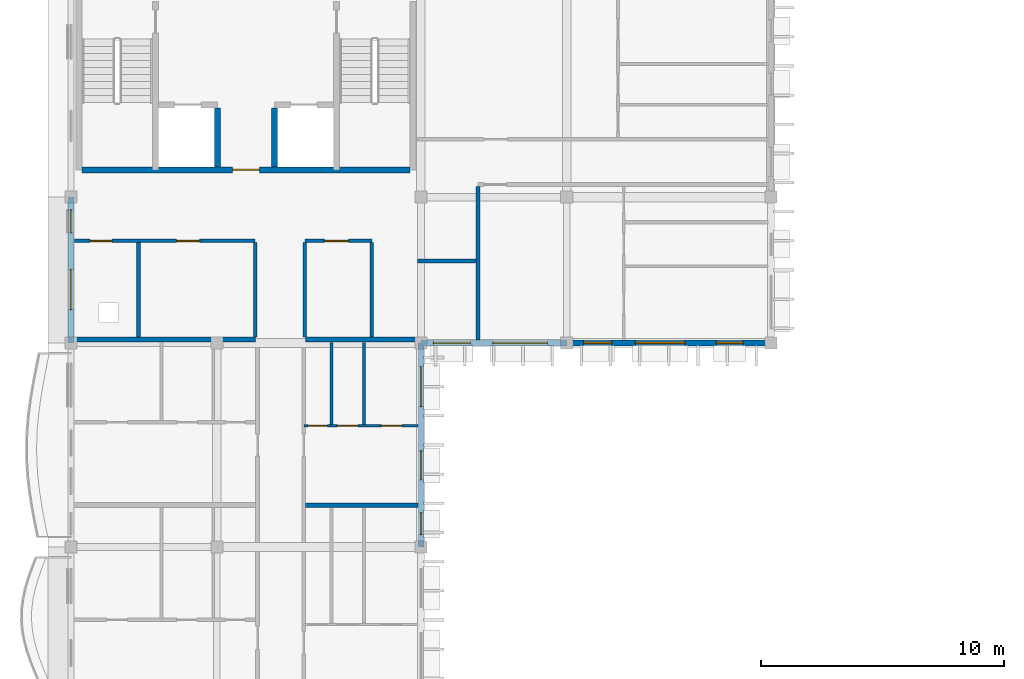
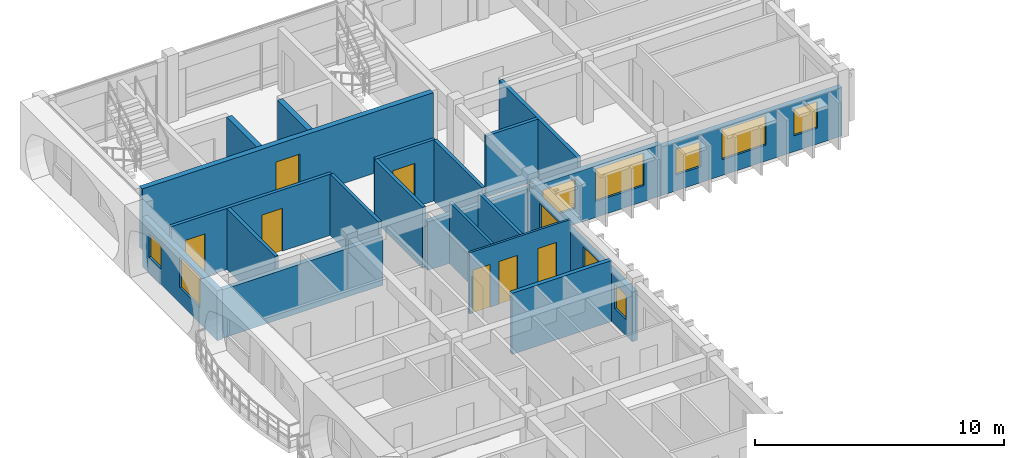
# One storey, part 8 of 28: 21 walls, 10 windows, 7 doors, 17 openings.
"""IFC4 building model written with IfcOpenShell, lengths in metres."""

import ifcopenshell
import ifcopenshell.guid

model = None  # the IFC model being written
_history = None  # IfcOwnerHistory: only IFC2X3 demands one
_inside = {}  # id of a spatial element -> (the spatial element, [elements in it])
_under = {}  # id of a project, library or spatial element -> (it, [spatial elements below it])
_declared = {}  # id of a project -> (the project, [libraries it declares])
_typed = {}  # id of a type object -> (the type object, [elements of that type])
_made_of = {}  # id of a material, layer set ... -> (it, [elements and type objects made of it])


def new_model(schema):
    """Start an empty IFC model of exactly this schema.

    Asked for "IFC4X3", IfcOpenShell would pick the latest addendum, in which some entities
    have other attributes; the version numbers below select the first issue.
    IFC2X3 requires an IfcOwnerHistory on every rooted entity: one is made here for all.
    """
    global model, _history
    if schema == "IFC4X3":
        model = ifcopenshell.file(schema_version=(4, 3, 0, 0))
    else:
        model = ifcopenshell.file(schema=schema)
    _inside.clear()
    _under.clear()
    _declared.clear()
    _typed.clear()
    _made_of.clear()
    _history = None
    if model.schema == "IFC2X3":
        org = make("IfcOrganization", Name="unknown")
        user = make(
            "IfcPersonAndOrganization",
            ThePerson=make("IfcPerson", FamilyName="unknown"),
            TheOrganization=org,
        )
        app = make(
            "IfcApplication",
            ApplicationDeveloper=org,
            Version="unknown",
            ApplicationFullName="unknown",
            ApplicationIdentifier="unknown",
        )
        _history = make(
            "IfcOwnerHistory",
            OwningUser=user,
            OwningApplication=app,
            ChangeAction="ADDED",
            CreationDate=0,
        )
    return model


def make(cls, **values):
    """One entity of the class cls with the attributes given. An attribute that is None is left unset."""
    return model.create_entity(
        cls, **{name: value for name, value in values.items() if value is not None}
    )


def rooted(cls, **values):
    """An entity with a GlobalId (a new one), such as an element, a storey or a relation."""
    return make(cls, GlobalId=ifcopenshell.guid.new(), OwnerHistory=_history, **values)


def si_unit(unit_type, name, prefix=None):
    """IfcSIUnit, for example si_unit("LENGTHUNIT", "METRE", prefix="MILLI")."""
    return make("IfcSIUnit", UnitType=unit_type, Prefix=prefix, Name=name)


def assignment(units):
    """IfcUnitAssignment: the units of a project."""
    return None if units is None else make("IfcUnitAssignment", Units=units)


def point(xyz):
    """IfcCartesianPoint."""
    return None if xyz is None else make("IfcCartesianPoint", Coordinates=xyz)


def direction(xyz):
    """IfcDirection."""
    return None if xyz is None else make("IfcDirection", DirectionRatios=xyz)


def frame(location, z_axis=None, x_axis=None):
    """IfcAxis2Placement3D, a coordinate frame: its origin and axes. An axis left out is left unset."""
    return make(
        "IfcAxis2Placement3D",
        Location=point(location),
        Axis=direction(z_axis),
        RefDirection=direction(x_axis),
    )


def frame_2d(location, x_axis=None):
    """IfcAxis2Placement2D, a coordinate frame in the plane: its origin and x axis."""
    return make(
        "IfcAxis2Placement2D", Location=point(location), RefDirection=direction(x_axis)
    )


def origin():
    """The frame at (0, 0, 0) with its axes left unset."""
    return frame((0.0, 0.0, 0.0))


def place(relative_to, where):
    """IfcLocalPlacement: puts the frame where relative to a parent placement (None: the world)."""
    return make(
        "IfcLocalPlacement", PlacementRelTo=relative_to, RelativePlacement=where
    )


def context(
    kind, dimensions, precision=None, world=None, true_north=None, identifier=None
):
    """IfcGeometricRepresentationContext, for example the 3D "Model" context."""
    return make(
        "IfcGeometricRepresentationContext",
        ContextIdentifier=identifier,
        ContextType=kind,
        CoordinateSpaceDimension=dimensions,
        Precision=precision,
        WorldCoordinateSystem=world,
        TrueNorth=true_north,
    )


def subcontext(parent, identifier, kind, view, scale=None):
    """IfcGeometricRepresentationSubContext, for example "Body" below "Model"."""
    return make(
        "IfcGeometricRepresentationSubContext",
        ContextIdentifier=identifier,
        ContextType=kind,
        ParentContext=parent,
        TargetScale=scale,
        TargetView=view,
    )


def project(units=None, contexts=None):
    """IfcProject with its units and contexts."""
    return rooted(
        "IfcProject",
        Name="project",
        RepresentationContexts=contexts,
        UnitsInContext=assignment(units),
    )


def spatial(cls, under=None, at=None, **own):
    """A site, building, storey or space (cls), placed at a placement, below another one or the project."""
    s = rooted(cls, ObjectPlacement=at, **own)
    if under is not None:
        _under.setdefault(under.id(), (under, []))[1].append(s)
    return s


def profile(cls, at=None, kind="AREA", **sizes):
    """A parametric profile (cls). Its sizes go by their IFC names, for example OverallWidth=200.0."""
    return make(cls, ProfileType=kind, Position=at, **sizes)


def rectangle(**sizes):
    """IfcRectangleProfileDef."""
    return profile("IfcRectangleProfileDef", **sizes)


def extrude(swept, where, along, depth):
    """IfcExtrudedAreaSolid: the profile swept, set in the frame where, extruded along a direction by depth."""
    return make(
        "IfcExtrudedAreaSolid",
        SweptArea=swept,
        Position=where,
        ExtrudedDirection=direction(along),
        Depth=depth,
    )


def shape(context_of_items, identifier, shape_type, items):
    """IfcShapeRepresentation: the items that make up one representation, for example the "Body"."""
    return make(
        "IfcShapeRepresentation",
        ContextOfItems=context_of_items,
        RepresentationIdentifier=identifier,
        RepresentationType=shape_type,
        Items=items,
    )


def material(Name=None, Category=None):
    """IfcMaterial."""
    return make("IfcMaterial", Name=Name, Category=Category)


def layer(
    of_material, thickness, ventilated=None, Name=None, Category=None, Priority=None
):
    """IfcMaterialLayer: one layer of a wall or slab, of a material (None: an air gap)."""
    return make(
        "IfcMaterialLayer",
        Material=of_material,
        LayerThickness=thickness,
        IsVentilated=ventilated,
        Name=Name,
        Category=Category,
        Priority=Priority,
    )


def layer_set(layers, Name=None):
    """IfcMaterialLayerSet."""
    return make("IfcMaterialLayerSet", MaterialLayers=layers, LayerSetName=Name)


def made_of(thing, what):
    """Note that an element or type object is made of a material, layer set ...; save() writes the relation."""
    if what is not None:
        _made_of.setdefault(what.id(), (what, []))[1].append(thing)
    return thing


def type_object(cls, material=None, **own):
    """A type object (cls), such as IfcWallType, which elements share."""
    return made_of(rooted(cls, **own), material)


def element(
    cls,
    number,
    at=None,
    inside=None,
    cuts=None,
    type_object=None,
    material=None,
    context=None,
    identifier="Body",
    shape_type=None,
    held_by="IfcProductDefinitionShape",
    body=None,
    shapes=None,
    **own,
):
    """One element of the class cls, such as IfcWall. Its Tag is "e" and its number.

    at: its placement. inside: the storey or other place that contains it. cuts: it is an
    opening in that element (IfcRelVoidsElement). A single representation is given by context,
    identifier, shape_type and body (its items); several are given by shapes. held_by: the class
    of the entity that holds the representations. save() writes the other relations.
    """
    e = rooted(cls, Tag="e%d" % number, ObjectPlacement=at, **own)
    if body is not None:
        shapes = [shape(context, identifier, shape_type, body)]
    if shapes is not None:
        e.Representation = make(held_by, Representations=shapes)
    if inside is not None:
        _inside.setdefault(inside.id(), (inside, []))[1].append(e)
    if cuts is not None:
        rooted(
            "IfcRelVoidsElement", RelatingBuildingElement=cuts, RelatedOpeningElement=e
        )
    if type_object is not None:
        _typed.setdefault(type_object.id(), (type_object, []))[1].append(e)
    return made_of(e, material)


def fill(opening, filler):
    """IfcRelFillsElement: the door or window that sits in an opening."""
    return rooted(
        "IfcRelFillsElement",
        RelatingOpeningElement=opening,
        RelatedBuildingElement=filler,
    )


def aggregate(whole, parts):
    """IfcRelAggregates: a whole, such as a stair, and the parts it consists of."""
    return rooted("IfcRelAggregates", RelatingObject=whole, RelatedObjects=parts)


def save(model, path):
    """Write the relations noted so far, then the file.

    IfcRelAggregates (storeys below a building ...), IfcRelContainedInSpatialStructure (elements
    in a storey), IfcRelDefinesByType, IfcRelAssociatesMaterial and IfcRelDeclares: one each for
    every whole, place, type object, material and project.
    """
    for whole, parts in _under.values():
        aggregate(whole, parts)
    for where, things in _inside.values():
        rooted(
            "IfcRelContainedInSpatialStructure",
            RelatedElements=things,
            RelatingStructure=where,
        )
    for kind, things in _typed.values():
        rooted("IfcRelDefinesByType", RelatedObjects=things, RelatingType=kind)
    for what, things in _made_of.values():
        rooted("IfcRelAssociatesMaterial", RelatedObjects=things, RelatingMaterial=what)
    for by, libraries in _declared.values():
        rooted("IfcRelDeclares", RelatingContext=by, RelatedDefinitions=libraries)
    model.write(path)


model = new_model("IFC4")

# Units and contexts
model_context = context("Model", 3, precision=1e-05, world=origin(), true_north=direction((0.0, 1.0)))
body_context = subcontext(model_context, "Body", "Model", "MODEL_VIEW")
ifc_project = project(units=[si_unit("LENGTHUNIT", "METRE"), si_unit("AREAUNIT", "SQUARE_METRE"), si_unit("VOLUMEUNIT", "CUBIC_METRE"), si_unit("PLANEANGLEUNIT", "RADIAN"), si_unit("MASSUNIT", "GRAM", prefix="KILO"), si_unit("THERMODYNAMICTEMPERATUREUNIT", "KELVIN")], contexts=[model_context])

# Site, building, storey
site_placement = place(None, origin())
site = spatial("IfcSite", under=ifc_project, at=site_placement, CompositionType="ELEMENT")
building_placement = place(site_placement, origin())
building = spatial("IfcBuilding", under=site, at=building_placement, Name="Thalorik Housing Commons", CompositionType="ELEMENT")
storey_placement = place(building_placement, frame((0.0, 0.0, 41.10009765625)))
storey = spatial("IfcBuildingStorey", under=building, at=storey_placement, Name="L12", CompositionType="ELEMENT", Elevation=41.10009765625)

# Walls
ifc_material_1 = material(Name="Concrete C40/50", Category="concrete")
ifc_layer_1 = layer(ifc_material_1, 0.25, Name="Concrete C40/50", Category="concrete")
ifc_layer_set_1 = layer_set([ifc_layer_1], Name="Concrete C40/50")
wall_type_1 = type_object("IfcWallType", Name="ARC-WAL-CORE-250", PredefinedType="SHEAR", material=ifc_layer_set_1)
for number, where, z_axis, x_axis, name in (
    (1, (14.425048828125, 118.875, 0.0), (0.0, 0.0, 1.0), (0.0, -1.0, 0.0), "L12 Lift 1 Cheek Wall"),
    (2, (16.77490234375, 118.875, 0.0), (0.0, 0.0, 1.0), (0.0, -1.0, 0.0), "L12 Lift 2 Cheek Wall"),
):
    element("IfcWall", number, at=place(storey_placement, frame(where, z_axis=z_axis, x_axis=x_axis)), inside=storey, type_object=wall_type_1, Name=name, PredefinedType="SHEAR", context=body_context, shape_type="SweptSolid", body=[
        extrude(rectangle(XDim=2.425048828125, YDim=0.25, at=frame_2d((1.21240234375, 0.0))), origin(), (0.0, 0.0, 1.0), 3.0),
    ])

# Wall, opening, door
wall_1_placement = place(storey_placement, frame((8.85009765625, 116.324951171875, 0.0), z_axis=(0.0, 0.0, 1.0), x_axis=(1.0, 0.0, 0.0)))
wall_1 = element("IfcWall", 3, at=wall_1_placement, inside=storey, type_object=wall_type_1, Name="L12 Core A Spine Shear Wall", PredefinedType="SHEAR", context=body_context, shape_type="SweptSolid", body=[
    extrude(rectangle(XDim=13.5, YDim=0.25, at=frame_2d((6.75, 0.0))), origin(), (0.0, 0.0, 1.0), 3.0),
])
opening_1_placement = place(wall_1_placement, frame((6.199951171875, 0.0, 0.0)))
opening_1 = element("IfcOpeningElement", 4, at=opening_1_placement, cuts=wall_1, Name="Opening ID-0109", PredefinedType="OPENING", context=body_context, shape_type="SweptSolid", body=[
    extrude(rectangle(XDim=1.10009765625, YDim=2.14990234375, at=frame_2d((0.550048828125, 1.074951171875))), frame((0.0, 0.135009765625, 0.0), z_axis=(0.0, -1.0, 0.0), x_axis=(1.0, 0.0, 0.0)), (0.0, 0.0, 1.0), 0.27001953125),
])
ifc_material_2 = material(Name="Steel S355", Category="steel")
door_type_1 = type_object("IfcDoorType", Name="ARC-DR-FD60-1100", OperationType="NOTDEFINED", PredefinedType="DOOR", material=ifc_material_2)
door_1_placement = place(opening_1_placement, origin())
door_1 = element("IfcDoor", 5, at=door_1_placement, inside=storey, type_object=door_type_1, Name="L12 Core A Lobby Fire Door", OperationType="SINGLE_SWING_RIGHT", OverallHeight=2.14990234375, OverallWidth=1.10009765625, PredefinedType="DOOR", context=body_context, shape_type="SweptSolid", body=[
    extrude(rectangle(XDim=1.10009765625, YDim=2.14990234375, at=frame_2d((0.550048828125, 1.074951171875))), frame((0.0, 0.02490234375, 0.0), z_axis=(0.0, -1.0, 0.0), x_axis=(1.0, 0.0, 0.0)), (0.0, 0.0, 1.0), 0.050048828125),
])
fill(opening_1, door_1)

# Walls
ifc_material_3 = material(Name="Masonry fire-rated corridor wall", Category="masonry")
ifc_layer_2 = layer(ifc_material_3, 0.14990234375, Name="Masonry fire-rated corridor wall", Category="masonry")
ifc_layer_set_2 = layer_set([ifc_layer_2], Name="Masonry fire-rated corridor wall")
wall_type_2 = type_object("IfcWallType", Name="ARC-WAL-CORR-150", PredefinedType="PARTITIONING", material=ifc_layer_set_2)
wall_2_placement = place(storey_placement, frame((22.659912109375, 112.570068359375, 0.0), z_axis=(0.0, 0.0, 1.0), x_axis=(1.0, 0.0, 0.0)))
element("IfcWall", 6, at=wall_2_placement, inside=storey, type_object=wall_type_2, Name="L12 Block A Vestibule South Wall", PredefinedType="PARTITIONING", context=body_context, shape_type="SweptSolid", body=[
    extrude(rectangle(XDim=2.405517578125, YDim=0.14990234375, at=frame_2d((1.20263671875, 0.0))), origin(), (0.0, 0.0, 1.0), 3.0),
])
ifc_layer_3 = layer(ifc_material_3, 0.1650390625, Name="Masonry fire-rated corridor wall", Category="masonry")
ifc_layer_set_3 = layer_set([ifc_layer_3], Name="Masonry fire-rated corridor wall")
wall_type_3 = type_object("IfcWallType", Name="ARC-WAL-CORR-165", PredefinedType="PARTITIONING", material=ifc_layer_set_3)
wall_3_placement = place(storey_placement, frame((25.14990234375, 109.324462890625, 0.0), z_axis=(0.0, 0.0, 1.0), x_axis=(0.0, 1.0, 0.0)))
element("IfcWall", 7, at=wall_3_placement, inside=storey, type_object=wall_type_3, Name="L12 Block A Vestibule Cheek Wall", PredefinedType="PARTITIONING", context=body_context, shape_type="SweptSolid", body=[
    extrude(rectangle(XDim=6.31103515625, YDim=0.1650390625, at=frame_2d((3.155517578125, 0.0))), origin(), (0.0, 0.0, 1.0), 3.0),
])

# Wall, openings, windows
ifc_material_4 = material(Name="White precast concrete C40/50", Category="concrete")
ifc_layer_4 = layer(ifc_material_4, 0.2451171875, Name="White precast concrete C40/50", Category="concrete")
ifc_layer_set_4 = layer_set([ifc_layer_4], Name="White precast concrete C40/50")
wall_type_4 = type_object("IfcWallType", Name="ARC-WAL-EXT-245", PredefinedType="STANDARD", material=ifc_layer_set_4)
wall_4_placement = place(storey_placement, frame((22.800048828125, 109.199951171875, 0.0), z_axis=(0.0, 0.0, 1.0), x_axis=(1.0, 0.0, 0.0)))
wall_4 = element("IfcWall", 8, at=wall_4_placement, inside=storey, type_object=wall_type_4, Name="L12 Exterior Wall WAL-EXT-L12-A-0297", PredefinedType="STANDARD", context=body_context, shape_type="SweptSolid", body=[
    extrude(rectangle(XDim=6.0, YDim=0.2451171875, at=frame_2d((3.0, 0.0))), origin(), (0.0, 0.0, 1.0), 2.52490234375),
])
opening_2_placement = place(wall_4_placement, frame((0.510009765625, 0.0, 0.780029296875)))
opening_2 = element("IfcOpeningElement", 9, at=opening_2_placement, cuts=wall_4, Name="Opening W-52", PredefinedType="OPENING", context=body_context, shape_type="SweptSolid", body=[
    extrude(rectangle(XDim=1.52001953125, YDim=1.419921875, at=frame_2d((0.760009765625, 0.7099609375))), frame((0.0, 0.132568359375, 0.0), z_axis=(0.0, -1.0, 0.0), x_axis=(1.0, 0.0, 0.0)), (0.0, 0.0, 1.0), 0.26513671875),
])
opening_3_placement = place(wall_4_placement, frame((2.955078125, 0.0, 0.780029296875)))
opening_3 = element("IfcOpeningElement", 10, at=opening_3_placement, cuts=wall_4, Name="Opening W-31", PredefinedType="OPENING", context=body_context, shape_type="SweptSolid", body=[
    extrude(rectangle(XDim=2.25, YDim=1.60009765625, at=frame_2d((1.125, 0.800048828125))), frame((0.0, 0.132568359375, 0.0), z_axis=(0.0, -1.0, 0.0), x_axis=(1.0, 0.0, 0.0)), (0.0, 0.0, 1.0), 0.26513671875),
])
ifc_material_5 = material(Name="Anodised aluminium and solar-control low-E glass", Category="aluminium")
window_type_1 = type_object("IfcWindowType", Name="ARC-WIN-31", PartitioningType="DOUBLE_PANEL_VERTICAL", PredefinedType="WINDOW", material=ifc_material_5)
window_1_placement = place(opening_3_placement, origin())
window_1 = element("IfcWindow", 11, at=window_1_placement, inside=storey, type_object=window_type_1, Name="L12 Facade Window 533", OverallHeight=1.60009765625, OverallWidth=2.25, PartitioningType="DOUBLE_PANEL_VERTICAL", PredefinedType="WINDOW", context=body_context, shape_type="SweptSolid", body=[
    extrude(rectangle(XDim=2.25, YDim=1.60009765625, at=frame_2d((1.125, 0.800048828125))), frame((0.0, 0.030029296875, 0.0), z_axis=(0.0, -1.0, 0.0), x_axis=(1.0, 0.0, 0.0)), (0.0, 0.0, 1.0), 0.06005859375),
])
fill(opening_3, window_1)
window_type_2 = type_object("IfcWindowType", Name="ARC-WIN-52", PartitioningType="SINGLE_PANEL", PredefinedType="WINDOW", material=ifc_material_5)
window_2_placement = place(opening_2_placement, origin())
window_2 = element("IfcWindow", 12, at=window_2_placement, inside=storey, type_object=window_type_2, Name="L12 Facade Window 532", OverallHeight=1.419921875, OverallWidth=1.52001953125, PartitioningType="SINGLE_PANEL", PredefinedType="WINDOW", context=body_context, shape_type="SweptSolid", body=[
    extrude(rectangle(XDim=1.52001953125, YDim=1.419921875, at=frame_2d((0.760009765625, 0.7099609375))), frame((0.0, 0.030029296875, 0.0), z_axis=(0.0, -1.0, 0.0), x_axis=(1.0, 0.0, 0.0)), (0.0, 0.0, 1.0), 0.06005859375),
])
fill(opening_2, window_2)

wall_5_placement = place(storey_placement, frame((28.800048828125, 109.199951171875, 0.0), z_axis=(0.0, 0.0, 1.0), x_axis=(1.0, 0.0, 0.0)))
wall_5 = element("IfcWall", 13, at=wall_5_placement, inside=storey, type_object=wall_type_4, Name="L12 Exterior Wall WAL-EXT-L12-A-0298", PredefinedType="STANDARD", context=body_context, shape_type="SweptSolid", body=[
    extrude(rectangle(XDim=8.39990234375, YDim=0.2451171875, at=frame_2d((4.199951171875, 0.0))), origin(), (0.0, 0.0, 1.0), 2.375),
])
opening_4_placement = place(wall_5_placement, frame((0.6923828125, 0.0, 0.780029296875)))
opening_4 = element("IfcOpeningElement", 14, at=opening_4_placement, cuts=wall_5, Name="Opening W-45", PredefinedType="OPENING", context=body_context, shape_type="SweptSolid", body=[
    extrude(rectangle(XDim=1.14990234375, YDim=1.25, at=frame_2d((0.574951171875, 0.625))), frame((0.0, 0.132568359375, 0.0), z_axis=(0.0, -1.0, 0.0), x_axis=(1.0, 0.0, 0.0)), (0.0, 0.0, 1.0), 0.26513671875),
])
opening_5_placement = place(wall_5_placement, frame((2.826416015625, 0.0, 0.780029296875)))
opening_5 = element("IfcOpeningElement", 15, at=opening_5_placement, cuts=wall_5, Name="Opening W-62", PredefinedType="OPENING", context=body_context, shape_type="SweptSolid", body=[
    extrude(rectangle(XDim=2.0400390625, YDim=1.4599609375, at=frame_2d((1.02001953125, 0.72998046875))), frame((0.0, 0.132568359375, 0.0), z_axis=(0.0, -1.0, 0.0), x_axis=(1.0, 0.0, 0.0)), (0.0, 0.0, 1.0), 0.26513671875),
])
opening_6_placement = place(wall_5_placement, frame((6.15869140625, 0.0, 0.780029296875)))
opening_6 = element("IfcOpeningElement", 16, at=opening_6_placement, cuts=wall_5, Name="Opening W-03", PredefinedType="OPENING", context=body_context, shape_type="SweptSolid", body=[
    extrude(rectangle(XDim=1.10009765625, YDim=1.300048828125, at=frame_2d((0.550048828125, 0.64990234375))), frame((0.0, 0.132568359375, 0.0), z_axis=(0.0, -1.0, 0.0), x_axis=(1.0, 0.0, 0.0)), (0.0, 0.0, 1.0), 0.26513671875),
])
window_type_3 = type_object("IfcWindowType", Name="ARC-WIN-03", PartitioningType="SINGLE_PANEL", PredefinedType="WINDOW", material=ifc_material_5)
window_3_placement = place(opening_6_placement, origin())
window_3 = element("IfcWindow", 17, at=window_3_placement, inside=storey, type_object=window_type_3, Name="L12 Facade Window 536", OverallHeight=1.300048828125, OverallWidth=1.10009765625, PartitioningType="SINGLE_PANEL", PredefinedType="WINDOW", context=body_context, shape_type="SweptSolid", body=[
    extrude(rectangle(XDim=1.10009765625, YDim=1.300048828125, at=frame_2d((0.550048828125, 0.64990234375))), frame((0.0, 0.030029296875, 0.0), z_axis=(0.0, -1.0, 0.0), x_axis=(1.0, 0.0, 0.0)), (0.0, 0.0, 1.0), 0.06005859375),
])
fill(opening_6, window_3)
window_type_4 = type_object("IfcWindowType", Name="ARC-WIN-45", PartitioningType="SINGLE_PANEL", PredefinedType="WINDOW", material=ifc_material_5)
window_4_placement = place(opening_4_placement, origin())
window_4 = element("IfcWindow", 18, at=window_4_placement, inside=storey, type_object=window_type_4, Name="L12 Facade Window 534", OverallHeight=1.25, OverallWidth=1.14990234375, PartitioningType="SINGLE_PANEL", PredefinedType="WINDOW", context=body_context, shape_type="SweptSolid", body=[
    extrude(rectangle(XDim=1.14990234375, YDim=1.25, at=frame_2d((0.574951171875, 0.625))), frame((0.0, 0.030029296875, 0.0), z_axis=(0.0, -1.0, 0.0), x_axis=(1.0, 0.0, 0.0)), (0.0, 0.0, 1.0), 0.06005859375),
])
fill(opening_4, window_4)
window_type_5 = type_object("IfcWindowType", Name="ARC-WIN-62", PartitioningType="DOUBLE_PANEL_VERTICAL", PredefinedType="WINDOW", material=ifc_material_5)
window_5_placement = place(opening_5_placement, origin())
window_5 = element("IfcWindow", 19, at=window_5_placement, inside=storey, type_object=window_type_5, Name="L12 Facade Window 535", OverallHeight=1.4599609375, OverallWidth=2.0400390625, PartitioningType="DOUBLE_PANEL_VERTICAL", PredefinedType="WINDOW", context=body_context, shape_type="SweptSolid", body=[
    extrude(rectangle(XDim=2.0400390625, YDim=1.4599609375, at=frame_2d((1.02001953125, 0.72998046875))), frame((0.0, 0.030029296875, 0.0), z_axis=(0.0, -1.0, 0.0), x_axis=(1.0, 0.0, 0.0)), (0.0, 0.0, 1.0), 0.06005859375),
])
fill(opening_5, window_5)

wall_6_placement = place(storey_placement, frame((8.39990234375, 115.199951171875, 0.0), z_axis=(0.0, 0.0, 1.0), x_axis=(0.0, -1.0, 0.0)))
wall_6 = element("IfcWall", 20, at=wall_6_placement, inside=storey, type_object=wall_type_4, Name="L12 Exterior Wall WAL-EXT-L12-A-0306", PredefinedType="STANDARD", context=body_context, shape_type="SweptSolid", body=[
    extrude(rectangle(XDim=6.0, YDim=0.2451171875, at=frame_2d((3.0, 0.0))), origin(), (0.0, 0.0, 1.0), 2.44482421875),
])
opening_7_placement = place(wall_6_placement, frame((0.52001953125, 0.0, 0.780029296875)))
opening_7 = element("IfcOpeningElement", 21, at=opening_7_placement, cuts=wall_6, Name="Opening W-43", PredefinedType="OPENING", context=body_context, shape_type="SweptSolid", body=[
    extrude(rectangle(XDim=0.949951171875, YDim=1.14990234375, at=frame_2d((0.47509765625, 0.574951171875))), frame((0.0, 0.132568359375, 0.0), z_axis=(0.0, -1.0, 0.0), x_axis=(1.0, 0.0, 0.0)), (0.0, 0.0, 1.0), 0.26513671875),
])
opening_8_placement = place(wall_6_placement, frame((2.97998046875, 0.0, 0.780029296875)))
opening_8 = element("IfcOpeningElement", 22, at=opening_8_placement, cuts=wall_6, Name="Opening W-15", PredefinedType="OPENING", context=body_context, shape_type="SweptSolid", body=[
    extrude(rectangle(XDim=1.64990234375, YDim=1.5, at=frame_2d((0.824951171875, 0.75))), frame((0.0, 0.132568359375, 0.0), z_axis=(0.0, -1.0, 0.0), x_axis=(1.0, 0.0, 0.0)), (0.0, 0.0, 1.0), 0.26513671875),
])
window_type_6 = type_object("IfcWindowType", Name="ARC-WIN-15", PartitioningType="DOUBLE_PANEL_VERTICAL", PredefinedType="WINDOW", material=ifc_material_5)
window_6_placement = place(opening_8_placement, origin())
window_6 = element("IfcWindow", 23, at=window_6_placement, inside=storey, type_object=window_type_6, Name="L12 Facade Window 548", OverallHeight=1.5, OverallWidth=1.64990234375, PartitioningType="DOUBLE_PANEL_VERTICAL", PredefinedType="WINDOW", context=body_context, shape_type="SweptSolid", body=[
    extrude(rectangle(XDim=1.64990234375, YDim=1.5, at=frame_2d((0.824951171875, 0.75))), frame((0.0, 0.030029296875, 0.0), z_axis=(0.0, -1.0, 0.0), x_axis=(1.0, 0.0, 0.0)), (0.0, 0.0, 1.0), 0.06005859375),
])
fill(opening_8, window_6)
window_type_7 = type_object("IfcWindowType", Name="ARC-WIN-43", PartitioningType="SINGLE_PANEL", PredefinedType="WINDOW", material=ifc_material_5)
window_7_placement = place(opening_7_placement, origin())
window_7 = element("IfcWindow", 24, at=window_7_placement, inside=storey, type_object=window_type_7, Name="L12 Facade Window 547", OverallHeight=1.14990234375, OverallWidth=0.949951171875, PartitioningType="SINGLE_PANEL", PredefinedType="WINDOW", context=body_context, shape_type="SweptSolid", body=[
    extrude(rectangle(XDim=0.949951171875, YDim=1.14990234375, at=frame_2d((0.47509765625, 0.574951171875))), frame((0.0, 0.030029296875, 0.0), z_axis=(0.0, -1.0, 0.0), x_axis=(1.0, 0.0, 0.0)), (0.0, 0.0, 1.0), 0.06005859375),
])
fill(opening_7, window_7)

wall_7_placement = place(storey_placement, frame((22.800048828125, 100.800048828125, 0.0), z_axis=(0.0, 0.0, 1.0), x_axis=(0.0, 1.0, 0.0)))
wall_7 = element("IfcWall", 25, at=wall_7_placement, inside=storey, type_object=wall_type_4, Name="L12 Exterior Wall WAL-EXT-L12-A-0314", PredefinedType="STANDARD", context=body_context, shape_type="SweptSolid", body=[
    extrude(rectangle(XDim=8.39990234375, YDim=0.2451171875, at=frame_2d((4.199951171875, 0.0))), origin(), (0.0, 0.0, 1.0), 2.4248046875),
])
opening_9_placement = place(wall_7_placement, frame((0.510009765625, 0.0, 0.780029296875)))
opening_9 = element("IfcOpeningElement", 26, at=opening_9_placement, cuts=wall_7, Name="Opening W-01", PredefinedType="OPENING", context=body_context, shape_type="SweptSolid", body=[
    extrude(rectangle(XDim=0.89990234375, YDim=1.199951171875, at=frame_2d((0.449951171875, 0.60009765625))), frame((0.0, 0.132568359375, 0.0), z_axis=(0.0, -1.0, 0.0), x_axis=(1.0, 0.0, 0.0)), (0.0, 0.0, 1.0), 0.26513671875),
])
opening_10_placement = place(wall_7_placement, frame((2.764404296875, 0.0, 0.780029296875)))
opening_10 = element("IfcOpeningElement", 27, at=opening_10_placement, cuts=wall_7, Name="Opening W-05", PredefinedType="OPENING", context=body_context, shape_type="SweptSolid", body=[
    extrude(rectangle(XDim=1.199951171875, YDim=1.5, at=frame_2d((0.60009765625, 0.75))), frame((0.0, 0.132568359375, 0.0), z_axis=(0.0, -1.0, 0.0), x_axis=(1.0, 0.0, 0.0)), (0.0, 0.0, 1.0), 0.26513671875),
])
opening_11_placement = place(wall_7_placement, frame((5.779296875, 0.0, 0.780029296875)))
opening_11 = element("IfcOpeningElement", 28, at=opening_11_placement, cuts=wall_7, Name="Opening W-15", PredefinedType="OPENING", context=body_context, shape_type="SweptSolid", body=[
    extrude(rectangle(XDim=1.64990234375, YDim=1.5, at=frame_2d((0.824951171875, 0.75))), frame((0.0, 0.132568359375, 0.0), z_axis=(0.0, -1.0, 0.0), x_axis=(1.0, 0.0, 0.0)), (0.0, 0.0, 1.0), 0.26513671875),
])
window_type_8 = type_object("IfcWindowType", Name="ARC-WIN-01", PartitioningType="SINGLE_PANEL", PredefinedType="WINDOW", material=ifc_material_5)
window_8_placement = place(opening_9_placement, origin())
window_8 = element("IfcWindow", 29, at=window_8_placement, inside=storey, type_object=window_type_8, Name="L12 Facade Window 566", OverallHeight=1.199951171875, OverallWidth=0.89990234375, PartitioningType="SINGLE_PANEL", PredefinedType="WINDOW", context=body_context, shape_type="SweptSolid", body=[
    extrude(rectangle(XDim=0.89990234375, YDim=1.199951171875, at=frame_2d((0.449951171875, 0.60009765625))), frame((0.0, 0.030029296875, 0.0), z_axis=(0.0, -1.0, 0.0), x_axis=(1.0, 0.0, 0.0)), (0.0, 0.0, 1.0), 0.06005859375),
])
fill(opening_9, window_8)
window_type_9 = type_object("IfcWindowType", Name="ARC-WIN-05", PartitioningType="SINGLE_PANEL", PredefinedType="WINDOW", material=ifc_material_5)
window_9_placement = place(opening_10_placement, origin())
window_9 = element("IfcWindow", 30, at=window_9_placement, inside=storey, type_object=window_type_9, Name="L12 Facade Window 567", OverallHeight=1.5, OverallWidth=1.199951171875, PartitioningType="SINGLE_PANEL", PredefinedType="WINDOW", context=body_context, shape_type="SweptSolid", body=[
    extrude(rectangle(XDim=1.199951171875, YDim=1.5, at=frame_2d((0.60009765625, 0.75))), frame((0.0, 0.030029296875, 0.0), z_axis=(0.0, -1.0, 0.0), x_axis=(1.0, 0.0, 0.0)), (0.0, 0.0, 1.0), 0.06005859375),
])
fill(opening_10, window_9)
window_10_placement = place(opening_11_placement, origin())
window_10 = element("IfcWindow", 31, at=window_10_placement, inside=storey, type_object=window_type_6, Name="L12 Facade Window 568", OverallHeight=1.5, OverallWidth=1.64990234375, PartitioningType="DOUBLE_PANEL_VERTICAL", PredefinedType="WINDOW", context=body_context, shape_type="SweptSolid", body=[
    extrude(rectangle(XDim=1.64990234375, YDim=1.5, at=frame_2d((0.824951171875, 0.75))), frame((0.0, 0.030029296875, 0.0), z_axis=(0.0, -1.0, 0.0), x_axis=(1.0, 0.0, 0.0)), (0.0, 0.0, 1.0), 0.06005859375),
])
fill(opening_11, window_10)

# Wall, openings, doors
ifc_material_6 = material(Name="Gypsum light stud partition", Category="masonry")
ifc_layer_5 = layer(ifc_material_6, 0.10009765625, Name="Gypsum light stud partition", Category="masonry")
ifc_layer_set_5 = layer_set([ifc_layer_5], Name="Gypsum light stud partition")
wall_type_5 = type_object("IfcWallType", Name="ARC-WAL-PART-100", PredefinedType="PARTITIONING", material=ifc_layer_set_5)
wall_8_placement = place(storey_placement, frame((17.97998046875, 105.798828125, 0.0), z_axis=(0.0, 0.0, 1.0), x_axis=(1.0, 0.0, 0.0)))
wall_8 = element("IfcWall", 32, at=wall_8_placement, inside=storey, type_object=wall_type_5, Name="L12 Unit 3B Spine Partition", PredefinedType="PARTITIONING", context=body_context, shape_type="SweptSolid", body=[
    extrude(rectangle(XDim=4.695556640625, YDim=0.10009765625, at=frame_2d((2.34765625, 0.0))), origin(), (0.0, 0.0, 1.0), 3.0),
])
opening_12_placement = place(wall_8_placement, frame((0.171142578125, 0.0, 0.0)))
opening_12 = element("IfcOpeningElement", 33, at=opening_12_placement, cuts=wall_8, Name="Opening ID-0916", PredefinedType="OPENING", context=body_context, shape_type="SweptSolid", body=[
    extrude(rectangle(XDim=0.800048828125, YDim=2.10009765625, at=frame_2d((0.39990234375, 1.050048828125))), frame((0.0, 0.06005859375, 0.0), z_axis=(0.0, -1.0, 0.0), x_axis=(1.0, 0.0, 0.0)), (0.0, 0.0, 1.0), 0.1201171875),
])
opening_13_placement = place(wall_8_placement, frame((1.3837890625, 0.0, 0.0)))
opening_13 = element("IfcOpeningElement", 34, at=opening_13_placement, cuts=wall_8, Name="Opening ID-0917", PredefinedType="OPENING", context=body_context, shape_type="SweptSolid", body=[
    extrude(rectangle(XDim=0.85009765625, YDim=2.10009765625, at=frame_2d((0.425048828125, 1.050048828125))), frame((0.0, 0.06005859375, 0.0), z_axis=(0.0, -1.0, 0.0), x_axis=(1.0, 0.0, 0.0)), (0.0, 0.0, 1.0), 0.1201171875),
])
opening_14_placement = place(wall_8_placement, frame((3.192626953125, 0.0, 0.0)))
opening_14 = element("IfcOpeningElement", 35, at=opening_14_placement, cuts=wall_8, Name="Opening ID-0918", PredefinedType="OPENING", context=body_context, shape_type="SweptSolid", body=[
    extrude(rectangle(XDim=0.85009765625, YDim=2.10009765625, at=frame_2d((0.425048828125, 1.050048828125))), frame((0.0, 0.06005859375, 0.0), z_axis=(0.0, -1.0, 0.0), x_axis=(1.0, 0.0, 0.0)), (0.0, 0.0, 1.0), 0.1201171875),
])
ifc_material_7 = material(Name="Moisture-resistant timber", Category="wood")
door_type_2 = type_object("IfcDoorType", Name="ARC-DR-INT-800", OperationType="NOTDEFINED", PredefinedType="DOOR", material=ifc_material_7)
door_2_placement = place(opening_12_placement, origin())
door_2 = element("IfcDoor", 36, at=door_2_placement, inside=storey, type_object=door_type_2, Name="L12 Flat Bathroom Door", OperationType="SINGLE_SWING_LEFT", OverallHeight=2.10009765625, OverallWidth=0.800048828125, PredefinedType="DOOR", context=body_context, shape_type="SweptSolid", body=[
    extrude(rectangle(XDim=0.800048828125, YDim=2.10009765625, at=frame_2d((0.39990234375, 1.050048828125))), frame((0.0, 0.02490234375, 0.0), z_axis=(0.0, -1.0, 0.0), x_axis=(1.0, 0.0, 0.0)), (0.0, 0.0, 1.0), 0.050048828125),
])
fill(opening_12, door_2)
ifc_material_8 = material(Name="Engineered oak timber", Category="wood")
door_type_3 = type_object("IfcDoorType", Name="ARC-DR-INT-850", OperationType="NOTDEFINED", PredefinedType="DOOR", material=ifc_material_8)
door_3_placement = place(opening_13_placement, origin())
door_3 = element("IfcDoor", 37, at=door_3_placement, inside=storey, type_object=door_type_3, Name="L12 Galley Kitchen Door", OperationType="SINGLE_SWING_RIGHT", OverallHeight=2.10009765625, OverallWidth=0.85009765625, PredefinedType="DOOR", context=body_context, shape_type="SweptSolid", body=[
    extrude(rectangle(XDim=0.85009765625, YDim=2.10009765625, at=frame_2d((0.425048828125, 1.050048828125))), frame((0.0, 0.02490234375, 0.0), z_axis=(0.0, -1.0, 0.0), x_axis=(1.0, 0.0, 0.0)), (0.0, 0.0, 1.0), 0.050048828125),
])
fill(opening_13, door_3)
door_4_placement = place(opening_14_placement, origin())
door_4 = element("IfcDoor", 38, at=door_4_placement, inside=storey, type_object=door_type_3, Name="L12 Single Bedroom Door", OperationType="SINGLE_SWING_LEFT", OverallHeight=2.10009765625, OverallWidth=0.85009765625, PredefinedType="DOOR", context=body_context, shape_type="SweptSolid", body=[
    extrude(rectangle(XDim=0.85009765625, YDim=2.10009765625, at=frame_2d((0.425048828125, 1.050048828125))), frame((0.0, 0.02490234375, 0.0), z_axis=(0.0, -1.0, 0.0), x_axis=(1.0, 0.0, 0.0)), (0.0, 0.0, 1.0), 0.050048828125),
])
fill(opening_14, door_4)

# Walls
ifc_material_9 = material(Name="Gypsum acoustic stud partition", Category="masonry")
ifc_layer_6 = layer(ifc_material_9, 0.125, Name="Gypsum acoustic stud partition", Category="masonry")
ifc_layer_set_6 = layer_set([ifc_layer_6], Name="Gypsum acoustic stud partition")
wall_type_6 = type_object("IfcWallType", Name="ARC-WAL-PART-125", PredefinedType="PARTITIONING", material=ifc_layer_set_6)
wall_9_placement = place(storey_placement, frame((19.122314453125, 105.850830078125, 0.0), z_axis=(0.0, 0.0, 1.0), x_axis=(0.0, 1.0, 0.0)))
element("IfcWall", 39, at=wall_9_placement, inside=storey, type_object=wall_type_6, Name="L12 Unit 3B Wet Wall", PredefinedType="PARTITIONING", context=body_context, shape_type="SweptSolid", body=[
    extrude(rectangle(XDim=3.377197265625, YDim=0.125, at=frame_2d((1.6884765625, 0.0))), origin(), (0.0, 0.0, 1.0), 3.0),
])
ifc_material_10 = material(Name="Ceramic masonry partition wall", Category="masonry")
ifc_layer_7 = layer(ifc_material_10, 0.139892578125, Name="Ceramic masonry partition wall", Category="masonry")
ifc_layer_set_7 = layer_set([ifc_layer_7], Name="Ceramic masonry partition wall")
wall_type_7 = type_object("IfcWallType", Name="ARC-WAL-PART-140", PredefinedType="PARTITIONING", material=ifc_layer_set_7)
wall_10_placement = place(storey_placement, frame((20.455078125, 105.850830078125, 0.0), z_axis=(0.0, 0.0, 1.0), x_axis=(0.0, 1.0, 0.0)))
element("IfcWall", 40, at=wall_10_placement, inside=storey, type_object=wall_type_7, Name="L12 Unit 3B Bedroom Partition", PredefinedType="PARTITIONING", context=body_context, shape_type="SweptSolid", body=[
    extrude(rectangle(XDim=3.377197265625, YDim=0.139892578125, at=frame_2d((1.6884765625, 0.0))), origin(), (0.0, 0.0, 1.0), 3.0),
])
ifc_layer_8 = layer(ifc_material_10, 0.14794921875, Name="Ceramic masonry partition wall", Category="masonry")
ifc_layer_set_8 = layer_set([ifc_layer_8], Name="Ceramic masonry partition wall")
wall_type_8 = type_object("IfcWallType", Name="ARC-WAL-PART-150", PredefinedType="PARTITIONING", material=ifc_layer_set_8)
for number, where, z_axis, x_axis, name in (
    (41, (11.175048828125, 113.323974609375, 0.0), (0.0, 0.0, 1.0), (0.0, -1.0, 0.0), "Riser Wall"),
    (42, (15.97509765625, 113.323974609375, 0.0), (0.0, 0.0, 1.0), (0.0, -1.0, 0.0), "Core Stem West Cheek Wall"),
):
    element("IfcWall", number, at=place(storey_placement, frame(where, z_axis=z_axis, x_axis=x_axis)), inside=storey, type_object=wall_type_8, Name=name, PredefinedType="PARTITIONING", context=body_context, shape_type="SweptSolid", body=[
        extrude(rectangle(XDim=3.882080078125, YDim=0.14794921875, at=frame_2d((1.94091796875, 0.0))), origin(), (0.0, 0.0, 1.0), 3.0),
    ])
for number, where, z_axis, x_axis, name in (
    (43, (18.02490234375, 113.323974609375, 0.0), (0.0, 0.0, 1.0), (0.0, -1.0, 0.0), "Core Stem East Cheek Wall"),
    (44, (20.780029296875, 113.323974609375, 0.0), (0.0, 0.0, 1.0), (0.0, -1.0, 0.0), "Core East Enclosing Wall"),
):
    element("IfcWall", number, at=place(storey_placement, frame(where, z_axis=z_axis, x_axis=x_axis)), inside=storey, type_object=wall_type_8, Name=name, PredefinedType="PARTITIONING", context=body_context, shape_type="SweptSolid", body=[
        extrude(rectangle(XDim=3.8720703125, YDim=0.14794921875, at=frame_2d((1.93603515625, 0.0))), origin(), (0.0, 0.0, 1.0), 3.0),
    ])

# Wall, openings, doors
wall_11_placement = place(storey_placement, frame((8.5400390625, 113.39990234375, 0.0), z_axis=(0.0, 0.0, 1.0), x_axis=(1.0, 0.0, 0.0)))
wall_11 = element("IfcWall", 45, at=wall_11_placement, inside=storey, type_object=wall_type_8, Name="L12 Core A West Corridor Partition", PredefinedType="PARTITIONING", context=body_context, shape_type="SweptSolid", body=[
    extrude(rectangle(XDim=7.43505859375, YDim=0.14794921875, at=frame_2d((3.717529296875, 0.0))), origin(), (0.0, 0.0, 1.0), 3.0),
])
opening_15_placement = place(wall_11_placement, frame((0.64990234375, 0.0, 0.0)))
opening_15 = element("IfcOpeningElement", 46, at=opening_15_placement, cuts=wall_11, Name="Opening ID-0110", PredefinedType="OPENING", context=body_context, shape_type="SweptSolid", body=[
    extrude(rectangle(XDim=0.89990234375, YDim=2.10009765625, at=frame_2d((0.449951171875, 1.050048828125))), frame((0.0, 0.083984375, 0.0), z_axis=(0.0, -1.0, 0.0), x_axis=(1.0, 0.0, 0.0)), (0.0, 0.0, 1.0), 0.16796875),
])
opening_16_placement = place(wall_11_placement, frame((4.199951171875, 0.0, 0.0)))
opening_16 = element("IfcOpeningElement", 47, at=opening_16_placement, cuts=wall_11, Name="Opening ID-0111", PredefinedType="OPENING", context=body_context, shape_type="SweptSolid", body=[
    extrude(rectangle(XDim=0.949951171875, YDim=2.10009765625, at=frame_2d((0.47509765625, 1.050048828125))), frame((0.0, 0.083984375, 0.0), z_axis=(0.0, -1.0, 0.0), x_axis=(1.0, 0.0, 0.0)), (0.0, 0.0, 1.0), 0.16796875),
])
door_type_4 = type_object("IfcDoorType", Name="ARC-DR-FD60-900", OperationType="NOTDEFINED", PredefinedType="DOOR", material=ifc_material_2)
door_5_placement = place(opening_15_placement, origin())
door_5 = element("IfcDoor", 48, at=door_5_placement, inside=storey, type_object=door_type_4, Name="Electrical Riser Door", OperationType="SINGLE_SWING_LEFT", OverallHeight=2.10009765625, OverallWidth=0.89990234375, PredefinedType="DOOR", context=body_context, shape_type="SweptSolid", body=[
    extrude(rectangle(XDim=0.89990234375, YDim=2.10009765625, at=frame_2d((0.449951171875, 1.050048828125))), frame((0.0, 0.02490234375, 0.0), z_axis=(0.0, -1.0, 0.0), x_axis=(1.0, 0.0, 0.0)), (0.0, 0.0, 1.0), 0.050048828125),
])
fill(opening_15, door_5)
door_type_5 = type_object("IfcDoorType", Name="ARC-DR-INT-950", OperationType="NOTDEFINED", PredefinedType="DOOR", material=ifc_material_8)
door_6_placement = place(opening_16_placement, origin())
door_6 = element("IfcDoor", 49, at=door_6_placement, inside=storey, type_object=door_type_5, Name="Accessible Bathroom Door", OperationType="SINGLE_SWING_RIGHT", OverallHeight=2.10009765625, OverallWidth=0.949951171875, PredefinedType="DOOR", context=body_context, shape_type="SweptSolid", body=[
    extrude(rectangle(XDim=0.949951171875, YDim=2.10009765625, at=frame_2d((0.47509765625, 1.050048828125))), frame((0.0, 0.02490234375, 0.0), z_axis=(0.0, -1.0, 0.0), x_axis=(1.0, 0.0, 0.0)), (0.0, 0.0, 1.0), 0.050048828125),
])
fill(opening_16, door_6)

# Wall, opening, door
wall_12_placement = place(storey_placement, frame((18.02490234375, 113.39990234375, 0.0), z_axis=(0.0, 0.0, 1.0), x_axis=(1.0, 0.0, 0.0)))
wall_12 = element("IfcWall", 50, at=wall_12_placement, inside=storey, type_object=wall_type_8, Name="L12 Core A East Corridor Partition", PredefinedType="PARTITIONING", context=body_context, shape_type="SweptSolid", body=[
    extrude(rectangle(XDim=2.755126953125, YDim=0.14794921875, at=frame_2d((1.37744140625, 0.0))), origin(), (0.0, 0.0, 1.0), 3.0),
])
opening_17_placement = place(wall_12_placement, frame((0.800048828125, 0.0, 0.0)))
opening_17 = element("IfcOpeningElement", 51, at=opening_17_placement, cuts=wall_12, Name="Opening ID-0112", PredefinedType="OPENING", context=body_context, shape_type="SweptSolid", body=[
    extrude(rectangle(XDim=1.0, YDim=2.14990234375, at=frame_2d((0.5, 1.074951171875))), frame((0.0, 0.083984375, 0.0), z_axis=(0.0, -1.0, 0.0), x_axis=(1.0, 0.0, 0.0)), (0.0, 0.0, 1.0), 0.16796875),
])
door_type_6 = type_object("IfcDoorType", Name="ARC-DR-FD60-1000", OperationType="NOTDEFINED", PredefinedType="DOOR", material=ifc_material_2)
door_7_placement = place(opening_17_placement, origin())
door_7 = element("IfcDoor", 52, at=door_7_placement, inside=storey, type_object=door_type_6, Name="Core Hub Room Door", OperationType="SINGLE_SWING_LEFT", OverallHeight=2.14990234375, OverallWidth=1.0, PredefinedType="DOOR", context=body_context, shape_type="SweptSolid", body=[
    extrude(rectangle(XDim=1.0, YDim=2.14990234375, at=frame_2d((0.5, 1.074951171875))), frame((0.0, 0.02490234375, 0.0), z_axis=(0.0, -1.0, 0.0), x_axis=(1.0, 0.0, 0.0)), (0.0, 0.0, 1.0), 0.050048828125),
])
fill(opening_17, door_7)

# Walls
ifc_material_11 = material(Name="Masonry acoustic blockwork wall", Category="masonry")
ifc_layer_9 = layer(ifc_material_11, 0.18505859375, Name="Masonry acoustic blockwork wall", Category="masonry")
ifc_layer_set_9 = layer_set([ifc_layer_9], Name="Masonry acoustic blockwork wall")
wall_type_9 = type_object("IfcWallType", Name="ARC-WAL-PARTY-185", PredefinedType="PARTITIONING", material=ifc_layer_set_9)
wall_13_placement = place(storey_placement, frame((18.056884765625, 102.530029296875, 0.0), z_axis=(0.0, 0.0, 1.0), x_axis=(1.0, 0.0, 0.0)))
element("IfcWall", 53, at=wall_13_placement, inside=storey, type_object=wall_type_9, Name="L12 Inter-Tenancy Wall 2B", PredefinedType="PARTITIONING", context=body_context, shape_type="SweptSolid", body=[
    extrude(rectangle(XDim=4.61865234375, YDim=0.18505859375, at=frame_2d((2.309326171875, 0.0))), origin(), (0.0, 0.0, 1.0), 3.0),
])
ifc_material_12 = material(Name="Precast concrete C40/50 acoustic wall", Category="concrete")
ifc_layer_10 = layer(ifc_material_12, 0.199951171875, Name="Precast concrete C40/50 acoustic wall", Category="concrete")
ifc_layer_set_10 = layer_set([ifc_layer_10], Name="Precast concrete C40/50 acoustic wall")
wall_type_10 = type_object("IfcWallType", Name="ARC-WAL-PARTY-200", PredefinedType="PARTITIONING", material=ifc_layer_set_10)
wall_14_placement = place(storey_placement, frame((8.5244140625, 109.340087890625, 0.0), z_axis=(0.0, 0.0, 1.0), x_axis=(1.0, 0.0, 0.0)))
element("IfcWall", 54, at=wall_14_placement, inside=storey, type_object=wall_type_10, Name="L12 Core End Wall A", PredefinedType="PARTITIONING", context=body_context, shape_type="SweptSolid", body=[
    extrude(rectangle(XDim=7.47119140625, YDim=0.199951171875, at=frame_2d((3.735595703125, 0.0))), origin(), (0.0, 0.0, 1.0), 2.375),
])
ifc_layer_11 = layer(ifc_material_12, 0.219970703125, Name="Precast concrete C40/50 acoustic wall", Category="concrete")
ifc_layer_set_11 = layer_set([ifc_layer_11], Name="Precast concrete C40/50 acoustic wall")
wall_type_11 = type_object("IfcWallType", Name="ARC-WAL-PARTY-220", PredefinedType="PARTITIONING", material=ifc_layer_set_11)
wall_15_placement = place(storey_placement, frame((18.056884765625, 109.340087890625, 0.0), z_axis=(0.0, 0.0, 1.0), x_axis=(1.0, 0.0, 0.0)))
element("IfcWall", 55, at=wall_15_placement, inside=storey, type_object=wall_type_11, Name="L12 Core End Wall B", PredefinedType="PARTITIONING", context=body_context, shape_type="SweptSolid", body=[
    extrude(rectangle(XDim=4.68310546875, YDim=0.219970703125, at=frame_2d((2.341552734375, 0.0))), origin(), (0.0, 0.0, 1.0), 2.375),
])

save(model, "model.ifc")
